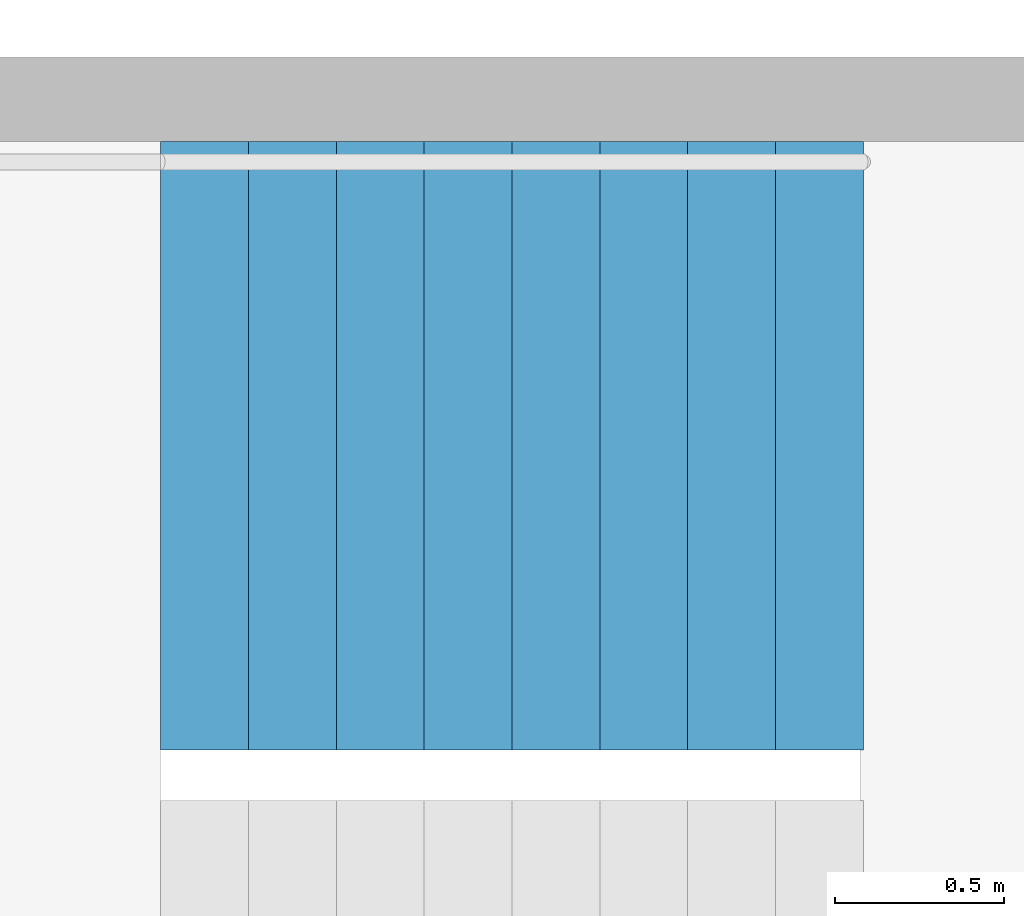
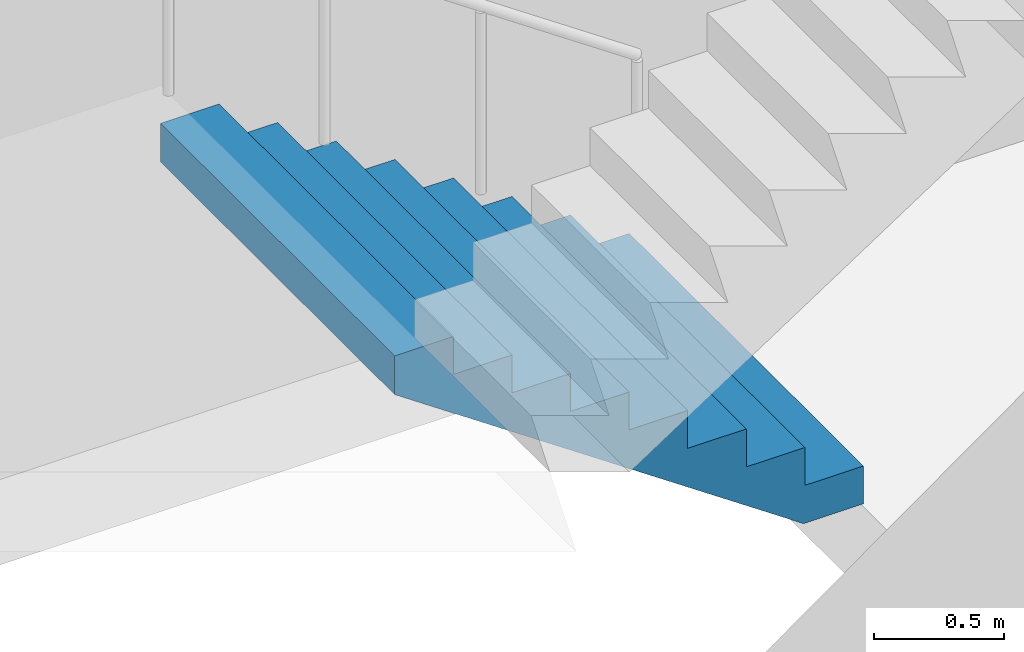
# One storey, part 22 of 29: 1 stair flight, 1 element without a shape of its own.
"""IFC4 building model written with IfcOpenShell, lengths in metres."""

import ifcopenshell
import ifcopenshell.guid

model = None  # the IFC model being written
_history = None  # IfcOwnerHistory: only IFC2X3 demands one
_inside = {}  # id of a spatial element -> (the spatial element, [elements in it])
_under = {}  # id of a project, library or spatial element -> (it, [spatial elements below it])
_declared = {}  # id of a project -> (the project, [libraries it declares])
_typed = {}  # id of a type object -> (the type object, [elements of that type])
_made_of = {}  # id of a material, layer set ... -> (it, [elements and type objects made of it])


def new_model(schema):
    """Start an empty IFC model of exactly this schema.

    Asked for "IFC4X3", IfcOpenShell would pick the latest addendum, in which some entities
    have other attributes; the version numbers below select the first issue.
    IFC2X3 requires an IfcOwnerHistory on every rooted entity: one is made here for all.
    """
    global model, _history
    if schema == "IFC4X3":
        model = ifcopenshell.file(schema_version=(4, 3, 0, 0))
    else:
        model = ifcopenshell.file(schema=schema)
    _inside.clear()
    _under.clear()
    _declared.clear()
    _typed.clear()
    _made_of.clear()
    _history = None
    if model.schema == "IFC2X3":
        org = make("IfcOrganization", Name="unknown")
        user = make(
            "IfcPersonAndOrganization",
            ThePerson=make("IfcPerson", FamilyName="unknown"),
            TheOrganization=org,
        )
        app = make(
            "IfcApplication",
            ApplicationDeveloper=org,
            Version="unknown",
            ApplicationFullName="unknown",
            ApplicationIdentifier="unknown",
        )
        _history = make(
            "IfcOwnerHistory",
            OwningUser=user,
            OwningApplication=app,
            ChangeAction="ADDED",
            CreationDate=0,
        )
    return model


def make(cls, **values):
    """One entity of the class cls with the attributes given. An attribute that is None is left unset."""
    return model.create_entity(
        cls, **{name: value for name, value in values.items() if value is not None}
    )


def rooted(cls, **values):
    """An entity with a GlobalId (a new one), such as an element, a storey or a relation."""
    return make(cls, GlobalId=ifcopenshell.guid.new(), OwnerHistory=_history, **values)


def si_unit(unit_type, name, prefix=None):
    """IfcSIUnit, for example si_unit("LENGTHUNIT", "METRE", prefix="MILLI")."""
    return make("IfcSIUnit", UnitType=unit_type, Prefix=prefix, Name=name)


def assignment(units):
    """IfcUnitAssignment: the units of a project."""
    return None if units is None else make("IfcUnitAssignment", Units=units)


def point(xyz):
    """IfcCartesianPoint."""
    return None if xyz is None else make("IfcCartesianPoint", Coordinates=xyz)


def direction(xyz):
    """IfcDirection."""
    return None if xyz is None else make("IfcDirection", DirectionRatios=xyz)


def frame(location, z_axis=None, x_axis=None):
    """IfcAxis2Placement3D, a coordinate frame: its origin and axes. An axis left out is left unset."""
    return make(
        "IfcAxis2Placement3D",
        Location=point(location),
        Axis=direction(z_axis),
        RefDirection=direction(x_axis),
    )


def origin():
    """The frame at (0, 0, 0) with its axes left unset."""
    return frame((0.0, 0.0, 0.0))


def place(relative_to, where):
    """IfcLocalPlacement: puts the frame where relative to a parent placement (None: the world)."""
    return make(
        "IfcLocalPlacement", PlacementRelTo=relative_to, RelativePlacement=where
    )


def context(
    kind, dimensions, precision=None, world=None, true_north=None, identifier=None
):
    """IfcGeometricRepresentationContext, for example the 3D "Model" context."""
    return make(
        "IfcGeometricRepresentationContext",
        ContextIdentifier=identifier,
        ContextType=kind,
        CoordinateSpaceDimension=dimensions,
        Precision=precision,
        WorldCoordinateSystem=world,
        TrueNorth=true_north,
    )


def subcontext(parent, identifier, kind, view, scale=None):
    """IfcGeometricRepresentationSubContext, for example "Body" below "Model"."""
    return make(
        "IfcGeometricRepresentationSubContext",
        ContextIdentifier=identifier,
        ContextType=kind,
        ParentContext=parent,
        TargetScale=scale,
        TargetView=view,
    )


def project(units=None, contexts=None):
    """IfcProject with its units and contexts."""
    return rooted(
        "IfcProject",
        Name="project",
        RepresentationContexts=contexts,
        UnitsInContext=assignment(units),
    )


def spatial(cls, under=None, at=None, **own):
    """A site, building, storey or space (cls), placed at a placement, below another one or the project."""
    s = rooted(cls, ObjectPlacement=at, **own)
    if under is not None:
        _under.setdefault(under.id(), (under, []))[1].append(s)
    return s


def point_list(points):
    """IfcCartesianPointList2D or 3D."""
    cls = (
        "IfcCartesianPointList2D" if len(points[0]) == 2 else "IfcCartesianPointList3D"
    )
    return make(cls, CoordList=points)


def triangles(points, corners, closed=None, point_numbers=None):
    """IfcTriangulatedFaceSet: each triangle names its three corners, points numbered from 1."""
    return make(
        "IfcTriangulatedFaceSet",
        Coordinates=point_list(points),
        Closed=closed,
        CoordIndex=corners,
        PnIndex=point_numbers,
    )


def shape(context_of_items, identifier, shape_type, items):
    """IfcShapeRepresentation: the items that make up one representation, for example the "Body"."""
    return make(
        "IfcShapeRepresentation",
        ContextOfItems=context_of_items,
        RepresentationIdentifier=identifier,
        RepresentationType=shape_type,
        Items=items,
    )


def material(Name=None, Category=None):
    """IfcMaterial."""
    return make("IfcMaterial", Name=Name, Category=Category)


def made_of(thing, what):
    """Note that an element or type object is made of a material, layer set ...; save() writes the relation."""
    if what is not None:
        _made_of.setdefault(what.id(), (what, []))[1].append(thing)
    return thing


def type_object(cls, material=None, **own):
    """A type object (cls), such as IfcWallType, which elements share."""
    return made_of(rooted(cls, **own), material)


def element(
    cls,
    number,
    at=None,
    inside=None,
    cuts=None,
    type_object=None,
    material=None,
    context=None,
    identifier="Body",
    shape_type=None,
    held_by="IfcProductDefinitionShape",
    body=None,
    shapes=None,
    **own,
):
    """One element of the class cls, such as IfcWall. Its Tag is "e" and its number.

    at: its placement. inside: the storey or other place that contains it. cuts: it is an
    opening in that element (IfcRelVoidsElement). A single representation is given by context,
    identifier, shape_type and body (its items); several are given by shapes. held_by: the class
    of the entity that holds the representations. save() writes the other relations.
    """
    e = rooted(cls, Tag="e%d" % number, ObjectPlacement=at, **own)
    if body is not None:
        shapes = [shape(context, identifier, shape_type, body)]
    if shapes is not None:
        e.Representation = make(held_by, Representations=shapes)
    if inside is not None:
        _inside.setdefault(inside.id(), (inside, []))[1].append(e)
    if cuts is not None:
        rooted(
            "IfcRelVoidsElement", RelatingBuildingElement=cuts, RelatedOpeningElement=e
        )
    if type_object is not None:
        _typed.setdefault(type_object.id(), (type_object, []))[1].append(e)
    return made_of(e, material)


def aggregate(whole, parts):
    """IfcRelAggregates: a whole, such as a stair, and the parts it consists of."""
    return rooted("IfcRelAggregates", RelatingObject=whole, RelatedObjects=parts)


def save(model, path):
    """Write the relations noted so far, then the file.

    IfcRelAggregates (storeys below a building ...), IfcRelContainedInSpatialStructure (elements
    in a storey), IfcRelDefinesByType, IfcRelAssociatesMaterial and IfcRelDeclares: one each for
    every whole, place, type object, material and project.
    """
    for whole, parts in _under.values():
        aggregate(whole, parts)
    for where, things in _inside.values():
        rooted(
            "IfcRelContainedInSpatialStructure",
            RelatedElements=things,
            RelatingStructure=where,
        )
    for kind, things in _typed.values():
        rooted("IfcRelDefinesByType", RelatedObjects=things, RelatingType=kind)
    for what, things in _made_of.values():
        rooted("IfcRelAssociatesMaterial", RelatedObjects=things, RelatingMaterial=what)
    for by, libraries in _declared.values():
        rooted("IfcRelDeclares", RelatingContext=by, RelatedDefinitions=libraries)
    model.write(path)


model = new_model("IFC4")

# Units and contexts
model_context = context("Model", 3, precision=1e-05, world=origin(), true_north=direction((0.0, 1.0)))
body_context = subcontext(model_context, "Body", "Model", "MODEL_VIEW")
ifc_project = project(units=[si_unit("LENGTHUNIT", "METRE"), si_unit("AREAUNIT", "SQUARE_METRE"), si_unit("VOLUMEUNIT", "CUBIC_METRE"), si_unit("PLANEANGLEUNIT", "RADIAN"), si_unit("MASSUNIT", "GRAM", prefix="KILO")], contexts=[model_context])

# Site, building, storey
site_placement = place(None, origin())
site = spatial("IfcSite", under=ifc_project, at=site_placement, CompositionType="ELEMENT")
building_placement = place(site_placement, origin())
building = spatial("IfcBuilding", under=site, at=building_placement, Name="Hakoniwa Tower and Hamabe Station Hall", CompositionType="ELEMENT")
storey_placement = place(building_placement, frame((0.0, 0.0, 113.800048828125)))
storey = spatial("IfcBuildingStorey", under=building, at=storey_placement, Name="L32", CompositionType="ELEMENT", Elevation=113.800048828125)

# Stair, stair flight
ifc_material_1 = material(Name="Concrete C40", Category="concrete")
stair_type = type_object("IfcStairType", Name="ESCAPE STAIR 1800", PredefinedType="HALF_TURN_STAIR", material=ifc_material_1)
stair_placement = place(storey_placement, origin())
stair = element("IfcStair", 1, at=stair_placement, inside=storey, type_object=stair_type, Name="Escape stair ST-2 L32", PredefinedType="HALF_TURN_STAIR")
ifc_material_2 = material(Name="Concrete C40", Category="concrete")
stair_flight_type = type_object("IfcStairFlightType", Name="STAIR FLIGHT 1800", PredefinedType="STRAIGHT", material=ifc_material_2)
stair_flight_placement = place(storey_placement, frame((-23.39990234375, -4.64990234375, 0.0), z_axis=(0.0, 0.0, 1.0), x_axis=(-1.0, 0.0, 0.0)))
stair_flight = element("IfcStairFlight", 2, at=stair_flight_placement, type_object=stair_flight_type, Name="ST-2 flight 1", NumberOfRisers=9, NumberOfTreads=8, PredefinedType="STRAIGHT", RiserHeight=0.177777778, TreadLength=0.26, context=body_context, shape_type="Tessellation", body=[
    triangles([(0.0, 0.89990234375, 0.0), (0.260009765625, 0.89990234375, 0.0), (0.265625, 0.89990234375, 0.0), (0.52001953125, 0.89990234375, 0.174072265625), (0.780029296875, 0.89990234375, 0.351806640625), (1.0400390625, 0.89990234375, 0.529541015625), (1.300048828125, 0.89990234375, 0.707275390625), (1.56005859375, 0.89990234375, 0.885009765625), (1.820068359375, 0.89990234375, 1.062744140625), (2.080078125, 0.89990234375, 1.24072265625), (2.080078125, 0.89990234375, 1.422119140625), (1.820068359375, 0.89990234375, 1.422119140625), (1.820068359375, 0.89990234375, 1.244384765625), (1.56005859375, 0.89990234375, 1.244384765625), (1.56005859375, 0.89990234375, 1.066650390625), (1.300048828125, 0.89990234375, 1.066650390625), (1.300048828125, 0.89990234375, 0.888916015625), (1.0400390625, 0.89990234375, 0.888916015625), (1.0400390625, 0.89990234375, 0.711181640625), (0.780029296875, 0.89990234375, 0.711181640625), (0.780029296875, 0.89990234375, 0.533447265625), (0.52001953125, 0.89990234375, 0.533447265625), (0.52001953125, 0.89990234375, 0.35546875), (0.265625, 0.89990234375, 0.35546875), (0.260009765625, 0.89990234375, 0.35546875), (0.260009765625, 0.89990234375, 0.177734375), (0.0, 0.89990234375, 0.177734375), (0.0, 0.06005859375, 0.0), (0.260009765625, 0.06005859375, 0.0), (0.265625, 0.06005859375, 0.0), (0.52001953125, 0.06005859375, 0.174072265625), (0.780029296875, 0.06005859375, 0.351806640625), (1.0400390625, 0.06005859375, 0.529541015625), (1.300048828125, 0.06005859375, 0.707275390625), (1.56005859375, 0.06005859375, 0.885009765625), (1.820068359375, 0.06005859375, 1.062744140625), (2.080078125, 0.06005859375, 1.24072265625), (2.080078125, 0.06005859375, 1.422119140625), (1.820068359375, 0.06005859375, 1.422119140625), (1.820068359375, 0.06005859375, 1.244384765625), (1.56005859375, 0.06005859375, 1.244384765625), (1.56005859375, 0.06005859375, 1.066650390625), (1.300048828125, 0.06005859375, 1.066650390625), (1.300048828125, 0.06005859375, 0.888916015625), (1.0400390625, 0.06005859375, 0.888916015625), (1.0400390625, 0.06005859375, 0.711181640625), (0.780029296875, 0.06005859375, 0.711181640625), (0.780029296875, 0.06005859375, 0.533447265625), (0.52001953125, 0.06005859375, 0.533447265625), (0.52001953125, 0.06005859375, 0.35546875), (0.265625, 0.06005859375, 0.35546875), (0.260009765625, 0.06005859375, 0.35546875), (0.260009765625, 0.06005859375, 0.177734375), (0.0, 0.06005859375, 0.177734375), (0.0, 0.04296875, 0.0), (0.260009765625, 0.04296875, 0.0), (0.265625, 0.04296875, 0.0), (0.52001953125, 0.04296875, 0.174072265625), (0.780029296875, 0.04296875, 0.351806640625), (1.0400390625, 0.04296875, 0.529541015625), (1.300048828125, 0.04296875, 0.707275390625), (1.56005859375, 0.04296875, 0.885009765625), (1.820068359375, 0.04296875, 1.062744140625), (2.080078125, 0.04296875, 1.24072265625), (2.080078125, 0.04296875, 1.422119140625), (1.820068359375, 0.04296875, 1.422119140625), (1.820068359375, 0.04296875, 1.244384765625), (1.56005859375, 0.04296875, 1.244384765625), (1.56005859375, 0.04296875, 1.066650390625), (1.300048828125, 0.04296875, 1.066650390625), (1.300048828125, 0.04296875, 0.888916015625), (1.0400390625, 0.04296875, 0.888916015625), (1.0400390625, 0.04296875, 0.711181640625), (0.780029296875, 0.04296875, 0.711181640625), (0.780029296875, 0.04296875, 0.533447265625), (0.52001953125, 0.04296875, 0.533447265625), (0.52001953125, 0.04296875, 0.35546875), (0.265625, 0.04296875, 0.35546875), (0.260009765625, 0.04296875, 0.35546875), (0.260009765625, 0.04296875, 0.177734375), (0.0, 0.04296875, 0.177734375), (0.0, 0.025634765625, 0.0), (0.260009765625, 0.025634765625, 0.0), (0.265625, 0.025634765625, 0.0), (0.52001953125, 0.025634765625, 0.174072265625), (0.780029296875, 0.025634765625, 0.351806640625), (1.0400390625, 0.025634765625, 0.529541015625), (1.300048828125, 0.025634765625, 0.707275390625), (1.56005859375, 0.025634765625, 0.885009765625), (1.820068359375, 0.025634765625, 1.062744140625), (2.080078125, 0.025634765625, 1.24072265625), (2.080078125, 0.025634765625, 1.422119140625), (1.820068359375, 0.025634765625, 1.422119140625), (1.820068359375, 0.025634765625, 1.244384765625), (1.56005859375, 0.025634765625, 1.244384765625), (1.56005859375, 0.025634765625, 1.066650390625), (1.300048828125, 0.025634765625, 1.066650390625), (1.300048828125, 0.025634765625, 0.888916015625), (1.0400390625, 0.025634765625, 0.888916015625), (1.0400390625, 0.025634765625, 0.711181640625), (0.780029296875, 0.025634765625, 0.711181640625), (0.780029296875, 0.025634765625, 0.533447265625), (0.52001953125, 0.025634765625, 0.533447265625), (0.52001953125, 0.025634765625, 0.35546875), (0.265625, 0.025634765625, 0.35546875), (0.260009765625, 0.025634765625, 0.35546875), (0.260009765625, 0.025634765625, 0.177734375), (0.0, 0.025634765625, 0.177734375), (0.0, 0.008544921875, 0.0), (0.260009765625, 0.008544921875, 0.0), (0.265625, 0.008544921875, 0.0), (0.52001953125, 0.008544921875, 0.174072265625), (0.780029296875, 0.008544921875, 0.351806640625), (1.0400390625, 0.008544921875, 0.529541015625), (1.300048828125, 0.008544921875, 0.707275390625), (1.56005859375, 0.008544921875, 0.885009765625), (1.820068359375, 0.008544921875, 1.062744140625), (2.080078125, 0.008544921875, 1.24072265625), (2.080078125, 0.008544921875, 1.422119140625), (1.820068359375, 0.008544921875, 1.422119140625), (1.820068359375, 0.008544921875, 1.244384765625), (1.56005859375, 0.008544921875, 1.244384765625), (1.56005859375, 0.008544921875, 1.066650390625), (1.300048828125, 0.008544921875, 1.066650390625), (1.300048828125, 0.008544921875, 0.888916015625), (1.0400390625, 0.008544921875, 0.888916015625), (1.0400390625, 0.008544921875, 0.711181640625), (0.780029296875, 0.008544921875, 0.711181640625), (0.780029296875, 0.008544921875, 0.533447265625), (0.52001953125, 0.008544921875, 0.533447265625), (0.52001953125, 0.008544921875, 0.35546875), (0.265625, 0.008544921875, 0.35546875), (0.260009765625, 0.008544921875, 0.35546875), (0.260009765625, 0.008544921875, 0.177734375), (0.0, 0.008544921875, 0.177734375), (0.0, -0.008544921875, 0.0), (0.260009765625, -0.008544921875, 0.0), (0.265625, -0.008544921875, 0.0), (0.52001953125, -0.008544921875, 0.174072265625), (0.780029296875, -0.008544921875, 0.351806640625), (1.0400390625, -0.008544921875, 0.529541015625), (1.300048828125, -0.008544921875, 0.707275390625), (1.56005859375, -0.008544921875, 0.885009765625), (1.820068359375, -0.008544921875, 1.062744140625), (2.080078125, -0.008544921875, 1.24072265625), (2.080078125, -0.008544921875, 1.422119140625), (1.820068359375, -0.008544921875, 1.422119140625), (1.820068359375, -0.008544921875, 1.244384765625), (1.56005859375, -0.008544921875, 1.244384765625), (1.56005859375, -0.008544921875, 1.066650390625), (1.300048828125, -0.008544921875, 1.066650390625), (1.300048828125, -0.008544921875, 0.888916015625), (1.0400390625, -0.008544921875, 0.888916015625), (1.0400390625, -0.008544921875, 0.711181640625), (0.780029296875, -0.008544921875, 0.711181640625), (0.780029296875, -0.008544921875, 0.533447265625), (0.52001953125, -0.008544921875, 0.533447265625), (0.52001953125, -0.008544921875, 0.35546875), (0.265625, -0.008544921875, 0.35546875), (0.260009765625, -0.008544921875, 0.35546875), (0.260009765625, -0.008544921875, 0.177734375), (0.0, -0.008544921875, 0.177734375), (0.0, -0.025634765625, 0.0), (0.260009765625, -0.025634765625, 0.0), (0.265625, -0.025634765625, 0.0), (0.52001953125, -0.025634765625, 0.174072265625), (0.780029296875, -0.025634765625, 0.351806640625), (1.0400390625, -0.025634765625, 0.529541015625), (1.300048828125, -0.025634765625, 0.707275390625), (1.56005859375, -0.025634765625, 0.885009765625), (1.820068359375, -0.025634765625, 1.062744140625), (2.080078125, -0.025634765625, 1.24072265625), (2.080078125, -0.025634765625, 1.422119140625), (1.820068359375, -0.025634765625, 1.422119140625), (1.820068359375, -0.025634765625, 1.244384765625), (1.56005859375, -0.025634765625, 1.244384765625), (1.56005859375, -0.025634765625, 1.066650390625), (1.300048828125, -0.025634765625, 1.066650390625), (1.300048828125, -0.025634765625, 0.888916015625), (1.0400390625, -0.025634765625, 0.888916015625), (1.0400390625, -0.025634765625, 0.711181640625), (0.780029296875, -0.025634765625, 0.711181640625), (0.780029296875, -0.025634765625, 0.533447265625), (0.52001953125, -0.025634765625, 0.533447265625), (0.52001953125, -0.025634765625, 0.35546875), (0.265625, -0.025634765625, 0.35546875), (0.260009765625, -0.025634765625, 0.35546875), (0.260009765625, -0.025634765625, 0.177734375), (0.0, -0.025634765625, 0.177734375), (0.0, -0.04296875, 0.0), (0.260009765625, -0.04296875, 0.0), (0.265625, -0.04296875, 0.0), (0.52001953125, -0.04296875, 0.174072265625), (0.780029296875, -0.04296875, 0.351806640625), (1.0400390625, -0.04296875, 0.529541015625), (1.300048828125, -0.04296875, 0.707275390625), (1.56005859375, -0.04296875, 0.885009765625), (1.820068359375, -0.04296875, 1.062744140625), (2.080078125, -0.04296875, 1.24072265625), (2.080078125, -0.04296875, 1.422119140625), (1.820068359375, -0.04296875, 1.422119140625), (1.820068359375, -0.04296875, 1.244384765625), (1.56005859375, -0.04296875, 1.244384765625), (1.56005859375, -0.04296875, 1.066650390625), (1.300048828125, -0.04296875, 1.066650390625), (1.300048828125, -0.04296875, 0.888916015625), (1.0400390625, -0.04296875, 0.888916015625), (1.0400390625, -0.04296875, 0.711181640625), (0.780029296875, -0.04296875, 0.711181640625), (0.780029296875, -0.04296875, 0.533447265625), (0.52001953125, -0.04296875, 0.533447265625), (0.52001953125, -0.04296875, 0.35546875), (0.265625, -0.04296875, 0.35546875), (0.260009765625, -0.04296875, 0.35546875), (0.260009765625, -0.04296875, 0.177734375), (0.0, -0.04296875, 0.177734375), (0.0, -0.06005859375, 0.0), (0.260009765625, -0.06005859375, 0.0), (0.265625, -0.06005859375, 0.0), (0.52001953125, -0.06005859375, 0.174072265625), (0.780029296875, -0.06005859375, 0.351806640625), (1.0400390625, -0.06005859375, 0.529541015625), (1.300048828125, -0.06005859375, 0.707275390625), (1.56005859375, -0.06005859375, 0.885009765625), (1.820068359375, -0.06005859375, 1.062744140625), (2.080078125, -0.06005859375, 1.24072265625), (2.080078125, -0.06005859375, 1.422119140625), (1.820068359375, -0.06005859375, 1.422119140625), (1.820068359375, -0.06005859375, 1.244384765625), (1.56005859375, -0.06005859375, 1.244384765625), (1.56005859375, -0.06005859375, 1.066650390625), (1.300048828125, -0.06005859375, 1.066650390625), (1.300048828125, -0.06005859375, 0.888916015625), (1.0400390625, -0.06005859375, 0.888916015625), (1.0400390625, -0.06005859375, 0.711181640625), (0.780029296875, -0.06005859375, 0.711181640625), (0.780029296875, -0.06005859375, 0.533447265625), (0.52001953125, -0.06005859375, 0.533447265625), (0.52001953125, -0.06005859375, 0.35546875), (0.265625, -0.06005859375, 0.35546875), (0.260009765625, -0.06005859375, 0.35546875), (0.260009765625, -0.06005859375, 0.177734375), (0.0, -0.06005859375, 0.177734375), (0.0, -0.89990234375, 0.0), (0.260009765625, -0.89990234375, 0.0), (0.265625, -0.89990234375, 0.0), (0.52001953125, -0.89990234375, 0.174072265625), (0.780029296875, -0.89990234375, 0.351806640625), (1.0400390625, -0.89990234375, 0.529541015625), (1.300048828125, -0.89990234375, 0.707275390625), (1.56005859375, -0.89990234375, 0.885009765625), (1.820068359375, -0.89990234375, 1.062744140625), (2.080078125, -0.89990234375, 1.24072265625), (2.080078125, -0.89990234375, 1.422119140625), (1.820068359375, -0.89990234375, 1.422119140625), (1.820068359375, -0.89990234375, 1.244384765625), (1.56005859375, -0.89990234375, 1.244384765625), (1.56005859375, -0.89990234375, 1.066650390625), (1.300048828125, -0.89990234375, 1.066650390625), (1.300048828125, -0.89990234375, 0.888916015625), (1.0400390625, -0.89990234375, 0.888916015625), (1.0400390625, -0.89990234375, 0.711181640625), (0.780029296875, -0.89990234375, 0.711181640625), (0.780029296875, -0.89990234375, 0.533447265625), (0.52001953125, -0.89990234375, 0.533447265625), (0.52001953125, -0.89990234375, 0.35546875), (0.265625, -0.89990234375, 0.35546875), (0.260009765625, -0.89990234375, 0.35546875), (0.260009765625, -0.89990234375, 0.177734375), (0.0, -0.89990234375, 0.177734375)], [[2, 27, 26], [245, 269, 270], [2, 1, 27], [245, 270, 244], [3, 25, 24], [246, 267, 268], [3, 26, 25], [246, 268, 269], [3, 2, 26], [246, 269, 245], [4, 24, 23], [247, 266, 267], [4, 3, 24], [247, 267, 246], [5, 22, 21], [248, 264, 265], [5, 23, 22], [248, 265, 266], [5, 4, 23], [248, 266, 247], [6, 20, 19], [249, 262, 263], [6, 21, 20], [249, 263, 264], [6, 5, 21], [249, 264, 248], [7, 18, 17], [250, 260, 261], [7, 19, 18], [250, 261, 262], [7, 6, 19], [250, 262, 249], [8, 16, 15], [251, 258, 259], [8, 17, 16], [251, 259, 260], [8, 7, 17], [251, 260, 250], [9, 14, 13], [252, 256, 257], [9, 15, 14], [252, 257, 258], [9, 8, 15], [252, 258, 251], [10, 12, 11], [253, 254, 255], [10, 13, 12], [253, 255, 256], [10, 9, 13], [253, 256, 252], [1, 2, 29], [1, 29, 28], [28, 29, 56], [28, 56, 55], [55, 56, 83], [55, 83, 82], [82, 83, 110], [82, 110, 109], [109, 110, 137], [109, 137, 136], [136, 137, 164], [136, 164, 163], [163, 164, 191], [163, 191, 190], [190, 191, 218], [190, 218, 217], [217, 218, 245], [217, 245, 244], [2, 3, 30], [2, 30, 29], [29, 30, 57], [29, 57, 56], [56, 57, 84], [56, 84, 83], [83, 84, 111], [83, 111, 110], [110, 111, 138], [110, 138, 137], [137, 138, 165], [137, 165, 164], [164, 165, 192], [164, 192, 191], [191, 192, 219], [191, 219, 218], [218, 219, 246], [218, 246, 245], [3, 4, 31], [3, 31, 30], [30, 31, 58], [30, 58, 57], [57, 58, 85], [57, 85, 84], [84, 85, 112], [84, 112, 111], [111, 112, 139], [111, 139, 138], [138, 139, 166], [138, 166, 165], [165, 166, 193], [165, 193, 192], [192, 193, 220], [192, 220, 219], [219, 220, 247], [219, 247, 246], [4, 5, 32], [4, 32, 31], [31, 32, 59], [31, 59, 58], [58, 59, 86], [58, 86, 85], [85, 86, 113], [85, 113, 112], [112, 113, 140], [112, 140, 139], [139, 140, 167], [139, 167, 166], [166, 167, 194], [166, 194, 193], [193, 194, 221], [193, 221, 220], [220, 221, 248], [220, 248, 247], [5, 6, 33], [5, 33, 32], [32, 33, 60], [32, 60, 59], [59, 60, 87], [59, 87, 86], [86, 87, 114], [86, 114, 113], [113, 114, 141], [113, 141, 140], [140, 141, 168], [140, 168, 167], [167, 168, 195], [167, 195, 194], [194, 195, 222], [194, 222, 221], [221, 222, 249], [221, 249, 248], [6, 7, 34], [6, 34, 33], [33, 34, 61], [33, 61, 60], [60, 61, 88], [60, 88, 87], [87, 88, 115], [87, 115, 114], [114, 115, 142], [114, 142, 141], [141, 142, 169], [141, 169, 168], [168, 169, 196], [168, 196, 195], [195, 196, 223], [195, 223, 222], [222, 223, 250], [222, 250, 249], [7, 8, 35], [7, 35, 34], [34, 35, 62], [34, 62, 61], [61, 62, 89], [61, 89, 88], [88, 89, 116], [88, 116, 115], [115, 116, 143], [115, 143, 142], [142, 143, 170], [142, 170, 169], [169, 170, 197], [169, 197, 196], [196, 197, 224], [196, 224, 223], [223, 224, 251], [223, 251, 250], [8, 9, 36], [8, 36, 35], [35, 36, 63], [35, 63, 62], [62, 63, 90], [62, 90, 89], [89, 90, 117], [89, 117, 116], [116, 117, 144], [116, 144, 143], [143, 144, 171], [143, 171, 170], [170, 171, 198], [170, 198, 197], [197, 198, 225], [197, 225, 224], [224, 225, 252], [224, 252, 251], [9, 10, 37], [9, 37, 36], [36, 37, 64], [36, 64, 63], [63, 64, 91], [63, 91, 90], [90, 91, 118], [90, 118, 117], [117, 118, 145], [117, 145, 144], [144, 145, 172], [144, 172, 171], [171, 172, 199], [171, 199, 198], [198, 199, 226], [198, 226, 225], [225, 226, 253], [225, 253, 252], [10, 11, 38], [10, 38, 37], [37, 38, 65], [37, 65, 64], [64, 65, 92], [64, 92, 91], [91, 92, 119], [91, 119, 118], [118, 119, 146], [118, 146, 145], [145, 146, 173], [145, 173, 172], [172, 173, 200], [172, 200, 199], [199, 200, 227], [199, 227, 226], [226, 227, 254], [226, 254, 253], [11, 12, 39], [11, 39, 38], [38, 39, 66], [38, 66, 65], [65, 66, 93], [65, 93, 92], [92, 93, 120], [92, 120, 119], [119, 120, 147], [119, 147, 146], [146, 147, 174], [146, 174, 173], [173, 174, 201], [173, 201, 200], [200, 201, 228], [200, 228, 227], [227, 228, 255], [227, 255, 254], [12, 13, 40], [12, 40, 39], [39, 40, 67], [39, 67, 66], [66, 67, 94], [66, 94, 93], [93, 94, 121], [93, 121, 120], [120, 121, 148], [120, 148, 147], [147, 148, 175], [147, 175, 174], [174, 175, 202], [174, 202, 201], [201, 202, 229], [201, 229, 228], [228, 229, 256], [228, 256, 255], [13, 14, 41], [13, 41, 40], [40, 41, 68], [40, 68, 67], [67, 68, 95], [67, 95, 94], [94, 95, 122], [94, 122, 121], [121, 122, 149], [121, 149, 148], [148, 149, 176], [148, 176, 175], [175, 176, 203], [175, 203, 202], [202, 203, 230], [202, 230, 229], [229, 230, 257], [229, 257, 256], [14, 15, 42], [14, 42, 41], [41, 42, 69], [41, 69, 68], [68, 69, 96], [68, 96, 95], [95, 96, 123], [95, 123, 122], [122, 123, 150], [122, 150, 149], [149, 150, 177], [149, 177, 176], [176, 177, 204], [176, 204, 203], [203, 204, 231], [203, 231, 230], [230, 231, 258], [230, 258, 257], [15, 16, 43], [15, 43, 42], [42, 43, 70], [42, 70, 69], [69, 70, 97], [69, 97, 96], [96, 97, 124], [96, 124, 123], [123, 124, 151], [123, 151, 150], [150, 151, 178], [150, 178, 177], [177, 178, 205], [177, 205, 204], [204, 205, 232], [204, 232, 231], [231, 232, 259], [231, 259, 258], [16, 17, 44], [16, 44, 43], [43, 44, 71], [43, 71, 70], [70, 71, 98], [70, 98, 97], [97, 98, 125], [97, 125, 124], [124, 125, 152], [124, 152, 151], [151, 152, 179], [151, 179, 178], [178, 179, 206], [178, 206, 205], [205, 206, 233], [205, 233, 232], [232, 233, 260], [232, 260, 259], [17, 18, 45], [17, 45, 44], [44, 45, 72], [44, 72, 71], [71, 72, 99], [71, 99, 98], [98, 99, 126], [98, 126, 125], [125, 126, 153], [125, 153, 152], [152, 153, 180], [152, 180, 179], [179, 180, 207], [179, 207, 206], [206, 207, 234], [206, 234, 233], [233, 234, 261], [233, 261, 260], [18, 19, 46], [18, 46, 45], [45, 46, 73], [45, 73, 72], [72, 73, 100], [72, 100, 99], [99, 100, 127], [99, 127, 126], [126, 127, 154], [126, 154, 153], [153, 154, 181], [153, 181, 180], [180, 181, 208], [180, 208, 207], [207, 208, 235], [207, 235, 234], [234, 235, 262], [234, 262, 261], [19, 20, 47], [19, 47, 46], [46, 47, 74], [46, 74, 73], [73, 74, 101], [73, 101, 100], [100, 101, 128], [100, 128, 127], [127, 128, 155], [127, 155, 154], [154, 155, 182], [154, 182, 181], [181, 182, 209], [181, 209, 208], [208, 209, 236], [208, 236, 235], [235, 236, 263], [235, 263, 262], [20, 21, 48], [20, 48, 47], [47, 48, 75], [47, 75, 74], [74, 75, 102], [74, 102, 101], [101, 102, 129], [101, 129, 128], [128, 129, 156], [128, 156, 155], [155, 156, 183], [155, 183, 182], [182, 183, 210], [182, 210, 209], [209, 210, 237], [209, 237, 236], [236, 237, 264], [236, 264, 263], [21, 22, 49], [21, 49, 48], [48, 49, 76], [48, 76, 75], [75, 76, 103], [75, 103, 102], [102, 103, 130], [102, 130, 129], [129, 130, 157], [129, 157, 156], [156, 157, 184], [156, 184, 183], [183, 184, 211], [183, 211, 210], [210, 211, 238], [210, 238, 237], [237, 238, 265], [237, 265, 264], [22, 23, 50], [22, 50, 49], [49, 50, 77], [49, 77, 76], [76, 77, 104], [76, 104, 103], [103, 104, 131], [103, 131, 130], [130, 131, 158], [130, 158, 157], [157, 158, 185], [157, 185, 184], [184, 185, 212], [184, 212, 211], [211, 212, 239], [211, 239, 238], [238, 239, 266], [238, 266, 265], [23, 24, 51], [23, 51, 50], [50, 51, 78], [50, 78, 77], [77, 78, 105], [77, 105, 104], [104, 105, 132], [104, 132, 131], [131, 132, 159], [131, 159, 158], [158, 159, 186], [158, 186, 185], [185, 186, 213], [185, 213, 212], [212, 213, 240], [212, 240, 239], [239, 240, 267], [239, 267, 266], [24, 25, 52], [24, 52, 51], [51, 52, 79], [51, 79, 78], [78, 79, 106], [78, 106, 105], [105, 106, 133], [105, 133, 132], [132, 133, 160], [132, 160, 159], [159, 160, 187], [159, 187, 186], [186, 187, 214], [186, 214, 213], [213, 214, 241], [213, 241, 240], [240, 241, 268], [240, 268, 267], [25, 26, 53], [25, 53, 52], [52, 53, 80], [52, 80, 79], [79, 80, 107], [79, 107, 106], [106, 107, 134], [106, 134, 133], [133, 134, 161], [133, 161, 160], [160, 161, 188], [160, 188, 187], [187, 188, 215], [187, 215, 214], [214, 215, 242], [214, 242, 241], [241, 242, 269], [241, 269, 268], [26, 27, 54], [26, 54, 53], [53, 54, 81], [53, 81, 80], [80, 81, 108], [80, 108, 107], [107, 108, 135], [107, 135, 134], [134, 135, 162], [134, 162, 161], [161, 162, 189], [161, 189, 188], [188, 189, 216], [188, 216, 215], [215, 216, 243], [215, 243, 242], [242, 243, 270], [242, 270, 269], [27, 1, 28], [27, 28, 54], [54, 28, 55], [54, 55, 81], [81, 55, 82], [81, 82, 108], [108, 82, 109], [108, 109, 135], [135, 109, 136], [135, 136, 162], [162, 136, 163], [162, 163, 189], [189, 163, 190], [189, 190, 216], [216, 190, 217], [216, 217, 243], [243, 217, 244], [243, 244, 270]], closed=True),
])
aggregate(stair, [stair_flight])

save(model, "model.ifc")
